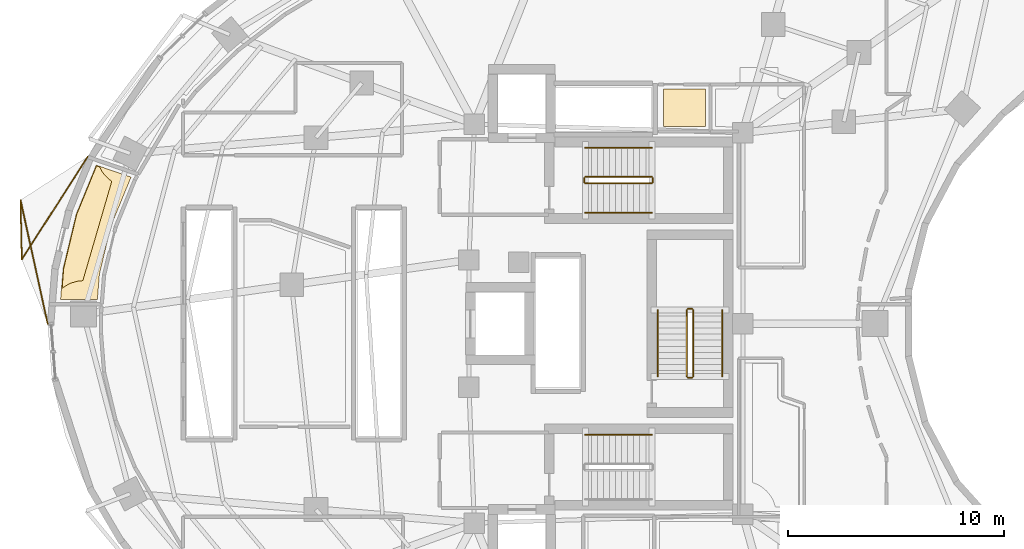
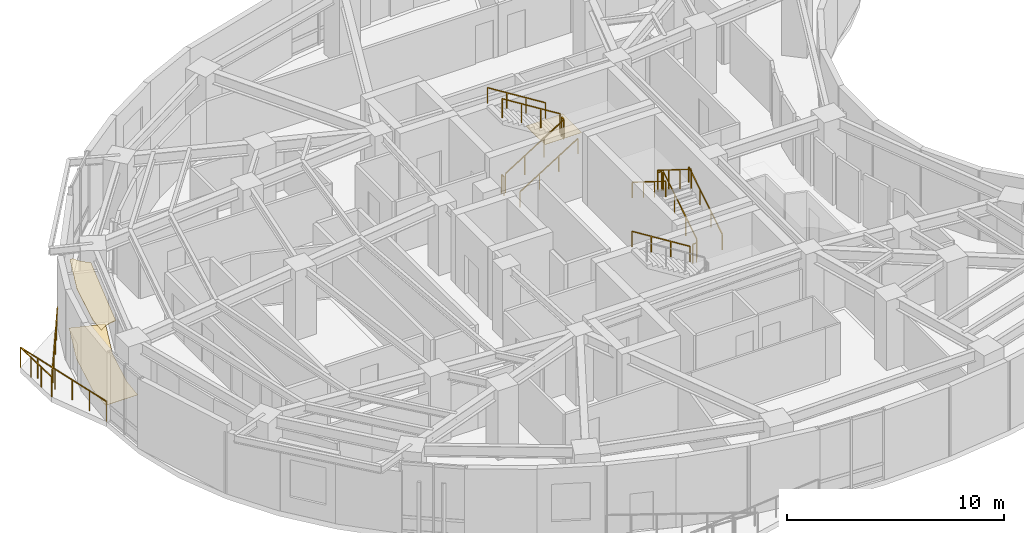
# One storey, part 14 of 15: 14 railings, 3 coverings.
"""IFC4 building model written with IfcOpenShell, lengths in metres."""

from ifc_helpers import new_model, si_unit, direction, frame, origin, origin_2d, place, context, subcontext, project, spatial, polyline, rectangle, outline, extrude, material, layer, layer_set, type_object, element, save


model = new_model("IFC4")

# Units and contexts
model_context = context("Model", 3, precision=1e-05, world=origin(), true_north=direction((0.0, 1.0)))
body_context = subcontext(model_context, "Body", "Model", "MODEL_VIEW")
ifc_project = project(units=[si_unit("LENGTHUNIT", "METRE"), si_unit("AREAUNIT", "SQUARE_METRE"), si_unit("VOLUMEUNIT", "CUBIC_METRE"), si_unit("PLANEANGLEUNIT", "RADIAN"), si_unit("MASSUNIT", "GRAM", prefix="KILO")], contexts=[model_context])

# Site, building, storey
site_placement = place(None, origin())
site = spatial("IfcSite", under=ifc_project, at=site_placement, CompositionType="ELEMENT")
building_placement = place(site_placement, origin())
building = spatial("IfcBuilding", under=site, at=building_placement, Name="Korentha Bioscience Tower", CompositionType="ELEMENT")
storey_placement = place(building_placement, frame((0.0, 0.0, 127.800048828125)))
storey = spatial("IfcBuildingStorey", under=building, at=storey_placement, Name="L29", CompositionType="ELEMENT", Elevation=127.800048828125)

# Covering
ifc_material_1 = material(Name="Vitrified Porcelain Tile", Category="ceramic")
ifc_layer_1 = layer(ifc_material_1, 0.014892578125, Name="Vitrified Porcelain Tile")
ifc_layer_set_1 = layer_set([ifc_layer_1], Name="Vitrified Porcelain Tile (FL-CER)")
covering_type_1 = type_object("IfcCoveringType", Name="Anti-Slip Ceramic Wet-Room Tile Flooring 15", PredefinedType="FLOORING", material=ifc_layer_set_1)
covering_1_placement = place(storey_placement, origin())
element("IfcCovering", 1, at=covering_1_placement, inside=storey, type_object=covering_type_1, Name="L29 Accessible Staff WC Floor Finish", PredefinedType="FLOORING", context=body_context, shape_type="SweptSolid", body=[
    extrude(outline(polyline([(33.8701171875, 36.1298828125), (33.8701171875, 37.8701171875), (35.830078125, 37.8701171875), (35.830078125, 36.1298828125), (33.8701171875, 36.1298828125)])), origin(), (0.0, 0.0, 1.0), 0.014892578125),
])

# Railings
ifc_material_2 = material(Name="Stainless Steel 304", Category="steel")
railing_type_1 = type_object("IfcRailingType", Name="Brushed Stainless Stair Handrail 900", PredefinedType="HANDRAIL", material=ifc_material_2)
railing_1_placement = place(storey_placement, frame((30.25, 32.14990234375, 0.175048828125)))
element("IfcRailing", 2, at=railing_1_placement, inside=storey, type_object=railing_type_1, Name="L29 ST-1 stair handrail 1", PredefinedType="HANDRAIL", context=body_context, shape_type="SweptSolid", body=[
    extrude(rectangle(XDim=0.048095703125, YDim=0.048095703125, at=origin_2d()), frame((0.0, 0.0, 0.8759765625), z_axis=(0.848028513186, 0.0, 0.529950602248), x_axis=(0.0, 1.0, 0.0)), (0.0, 0.0, 1.0), 3.632080078125),
    extrude(rectangle(XDim=0.0419921875, YDim=0.0419921875, at=origin_2d()), origin(), (0.0, 0.0, 1.0), 0.851806640625),
    extrude(rectangle(XDim=0.0419921875, YDim=0.0419921875, at=origin_2d()), frame((1.026611328125, 0.0, 0.6416015625)), (0.0, 0.0, 1.0), 0.851806640625),
    extrude(rectangle(XDim=0.0419921875, YDim=0.0419921875, at=origin_2d()), frame((2.053466796875, 0.0, 1.283203125)), (0.0, 0.0, 1.0), 0.851806640625),
    extrude(rectangle(XDim=0.0419921875, YDim=0.0419921875, at=origin_2d()), frame((3.080078125, 0.0, 1.9248046875)), (0.0, 0.0, 1.0), 0.851806640625),
])
for number, where, name in (
    (3, (33.330078125, 35.14990234375, 2.27490234375), "L29 ST-1 stair handrail 2"),
    (4, (33.330078125, 21.85009765625, 2.27490234375), "L29 ST-2 stair handrail 2"),
):
    element("IfcRailing", number, at=place(storey_placement, frame(where)), inside=storey, type_object=railing_type_1, Name=name, PredefinedType="HANDRAIL", context=body_context, shape_type="SweptSolid", body=[
        extrude(rectangle(XDim=0.048095703125, YDim=0.048095703125, at=origin_2d()), frame((0.0, 0.0, 0.8759765625), z_axis=(-0.847998304005, 0.0, 0.529998940003), x_axis=(0.0, -1.0, 0.0)), (0.0, 0.0, 1.0), 3.632080078125),
        extrude(rectangle(XDim=0.0419921875, YDim=0.0419921875, at=origin_2d()), origin(), (0.0, 0.0, 1.0), 0.851806640625),
        extrude(rectangle(XDim=0.0419921875, YDim=0.0419921875, at=origin_2d()), frame((-1.026611328125, 0.0, 0.6416015625)), (0.0, 0.0, 1.0), 0.851806640625),
        extrude(rectangle(XDim=0.0419921875, YDim=0.0419921875, at=origin_2d()), frame((-2.053466796875, 0.0, 1.283447265625)), (0.0, 0.0, 1.0), 0.851806640625),
        extrude(rectangle(XDim=0.0419921875, YDim=0.0419921875, at=origin_2d()), frame((-3.080078125, 0.0, 1.925048828125)), (0.0, 0.0, 1.0), 0.851806640625),
    ])
railing_2_placement = place(storey_placement, frame((36.60009765625, 24.550048828125, 0.175048828125)))
element("IfcRailing", 5, at=railing_2_placement, inside=storey, type_object=railing_type_1, Name="L29 ST-3 stair handrail 1", PredefinedType="HANDRAIL", context=body_context, shape_type="SweptSolid", body=[
    extrude(rectangle(XDim=0.048095703125, YDim=0.048095703125, at=origin_2d()), frame((0.0, 0.0, 0.8759765625), z_axis=(0.0, 0.848009633417, 0.529980812513), x_axis=(-1.0, 0.0, 0.0)), (0.0, 0.0, 1.0), 3.6318359375),
    extrude(rectangle(XDim=0.0419921875, YDim=0.0419921875, at=origin_2d()), origin(), (0.0, 0.0, 1.0), 0.851806640625),
    extrude(rectangle(XDim=0.0419921875, YDim=0.0419921875, at=origin_2d()), frame((0.0, 1.026611328125, 0.6416015625)), (0.0, 0.0, 1.0), 0.851806640625),
    extrude(rectangle(XDim=0.0419921875, YDim=0.0419921875, at=origin_2d()), frame((0.0, 2.05322265625, 1.283203125)), (0.0, 0.0, 1.0), 0.851806640625),
    extrude(rectangle(XDim=0.0419921875, YDim=0.0419921875, at=origin_2d()), frame((0.0, 3.079833984375, 1.9248046875)), (0.0, 0.0, 1.0), 0.851806640625),
])
railing_3_placement = place(storey_placement, frame((33.60009765625, 27.6298828125, 2.27490234375)))
element("IfcRailing", 6, at=railing_3_placement, inside=storey, type_object=railing_type_1, Name="L29 ST-3 stair handrail 2", PredefinedType="HANDRAIL", context=body_context, shape_type="SweptSolid", body=[
    extrude(rectangle(XDim=0.048095703125, YDim=0.048095703125, at=origin_2d()), frame((0.0, 0.0, 0.8759765625), z_axis=(0.0, -0.847979421464, 0.530029150871), x_axis=(1.0, 0.0, 0.0)), (0.0, 0.0, 1.0), 3.632080078125),
    extrude(rectangle(XDim=0.0419921875, YDim=0.0419921875, at=origin_2d()), origin(), (0.0, 0.0, 1.0), 0.851806640625),
    extrude(rectangle(XDim=0.0419921875, YDim=0.0419921875, at=origin_2d()), frame((0.0, -1.026611328125, 0.6416015625)), (0.0, 0.0, 1.0), 0.851806640625),
    extrude(rectangle(XDim=0.0419921875, YDim=0.0419921875, at=origin_2d()), frame((0.0, -2.05322265625, 1.283447265625)), (0.0, 0.0, 1.0), 0.851806640625),
    extrude(rectangle(XDim=0.0419921875, YDim=0.0419921875, at=origin_2d()), frame((0.0, -3.079833984375, 1.925048828125)), (0.0, 0.0, 1.0), 0.851806640625),
])
ifc_material_3 = material(Name="Laminated Tempered Safety Glass", Category="glass")
railing_type_2 = type_object("IfcRailingType", Name="Laminated Glass Balcony Guardrail 1150", PredefinedType="BALUSTRADE", material=ifc_material_3)
railing_4_placement = place(storey_placement, frame((7.17626953125, 34.74609375, 0.0)))
element("IfcRailing", 7, at=railing_4_placement, inside=storey, type_object=railing_type_2, Name="L29 Balcony Guardrail 02", PredefinedType="BALUSTRADE", context=body_context, shape_type="SweptSolid", body=[
    extrude(rectangle(XDim=0.048095703125, YDim=0.048095703125, at=origin_2d()), frame((0.0, 0.0, 1.1259765625), z_axis=(-0.539985183443, -0.841674522403, 0.0), x_axis=(0.841674522403, -0.539985183443, 0.0)), (0.0, 0.0, 1.0), 5.6728515625),
    extrude(rectangle(XDim=0.048095703125, YDim=0.048095703125, at=origin_2d()), frame((-3.063232421875, -4.774658203125, 1.1259765625), z_axis=(-0.020618734894, 0.999787411289, 0.0), x_axis=(-0.999787411289, -0.020618734894, 0.0)), (0.0, 0.0, 1.0), 2.7587890625),
    extrude(rectangle(XDim=0.048095703125, YDim=0.048095703125, at=origin_2d()), frame((-3.1201171875, -2.016357421875, 1.1259765625), z_axis=(0.214417947437, -0.976742004737, 0.0), x_axis=(0.976742004737, 0.214417947437, 0.0)), (0.0, 0.0, 1.0), 5.8662109375),
    extrude(rectangle(XDim=0.0419921875, YDim=0.0419921875, at=origin_2d()), origin(), (0.0, 0.0, 1.0), 1.101806640625),
    extrude(rectangle(XDim=0.0419921875, YDim=0.0419921875, at=origin_2d()), frame((-0.612548828125, -0.954833984375, 0.0)), (0.0, 0.0, 1.0), 1.101806640625),
    extrude(rectangle(XDim=0.0419921875, YDim=0.0419921875, at=origin_2d()), frame((-1.225341796875, -1.909912109375, 0.0)), (0.0, 0.0, 1.0), 1.101806640625),
    extrude(rectangle(XDim=0.0419921875, YDim=0.0419921875, at=origin_2d()), frame((-1.837890625, -2.86474609375, 0.0)), (0.0, 0.0, 1.0), 1.101806640625),
    extrude(rectangle(XDim=0.0419921875, YDim=0.0419921875, at=origin_2d()), frame((-2.45068359375, -3.81982421875, 0.0)), (0.0, 0.0, 1.0), 1.101806640625),
    extrude(rectangle(XDim=0.0419921875, YDim=0.0419921875, at=origin_2d()), frame((-3.063232421875, -4.774658203125, 0.0)), (0.0, 0.0, 1.0), 1.101806640625),
    extrude(rectangle(XDim=0.0419921875, YDim=0.0419921875, at=origin_2d()), frame((-3.082275390625, -3.855224609375, 0.0)), (0.0, 0.0, 1.0), 1.101806640625),
    extrude(rectangle(XDim=0.0419921875, YDim=0.0419921875, at=origin_2d()), frame((-3.10107421875, -2.935791015625, 0.0)), (0.0, 0.0, 1.0), 1.101806640625),
    extrude(rectangle(XDim=0.0419921875, YDim=0.0419921875, at=origin_2d()), frame((-3.1201171875, -2.016357421875, 0.0)), (0.0, 0.0, 1.0), 1.101806640625),
    extrude(rectangle(XDim=0.0419921875, YDim=0.0419921875, at=origin_2d()), frame((-2.86865234375, -3.162353515625, 0.0)), (0.0, 0.0, 1.0), 1.101806640625),
    extrude(rectangle(XDim=0.0419921875, YDim=0.0419921875, at=origin_2d()), frame((-2.616943359375, -4.308349609375, 0.0)), (0.0, 0.0, 1.0), 1.101806640625),
    extrude(rectangle(XDim=0.0419921875, YDim=0.0419921875, at=origin_2d()), frame((-2.365478515625, -5.4541015625, 0.0)), (0.0, 0.0, 1.0), 1.101806640625),
    extrude(rectangle(XDim=0.0419921875, YDim=0.0419921875, at=origin_2d()), frame((-2.11376953125, -6.60009765625, 0.0)), (0.0, 0.0, 1.0), 1.101806640625),
    extrude(rectangle(XDim=0.0419921875, YDim=0.0419921875, at=origin_2d()), frame((-1.8623046875, -7.74609375, 0.0)), (0.0, 0.0, 1.0), 1.101806640625),
])

# Covering
ifc_material_4 = material(Name="Antimicrobial Mineral Fibre Board", Category="gypsum")
ifc_layer_2 = layer(ifc_material_4, 0.034912109375, Name="Antimicrobial Mineral Fibre Board")
ifc_layer_set_2 = layer_set([ifc_layer_2], Name="Antimicrobial Mineral Fibre Board (CL-MF35)")
covering_type_2 = type_object("IfcCoveringType", Name="Mineral-Fibre Cleanroom Suspended Ceiling 35", PredefinedType="CEILING", material=ifc_layer_set_2)
covering_2_placement = place(storey_placement, frame((0.0, 0.0, 3.864990234375)))
element("IfcCovering", 8, at=covering_2_placement, inside=storey, type_object=covering_type_2, Name="L29 Robotic Liquid-Handling Suite 11 Acoustic Ceiling", PredefinedType="CEILING", context=body_context, shape_type="SweptSolid", body=[
    extrude(outline(polyline([(6.947021484375, 28.9912109375), (6.671875, 28.962646484375), (6.381103515625, 28.87451171875), (6.113037109375, 28.731201171875), (5.985595703125, 28.6357421875), (6.057861328125, 29.547607421875), (6.662109375, 32.060791015625), (7.581787109375, 34.311279296875), (7.726318359375, 34.261474609375), (7.85302734375, 34.0283203125), (7.943603515625, 33.906005859375), (8.158447265625, 33.691162109375), (8.287353515625, 33.5966796875), (6.947021484375, 28.9912109375)])), origin(), (0.0, 0.0, 1.0), 0.034912109375),
])

# Railings
ifc_material_5 = material(Name="Painted Steel S275", Category="steel")
railing_type_3 = type_object("IfcRailingType", Name="Painted Steel Stair Well Guardrail 1100", PredefinedType="GUARDRAIL", material=ifc_material_5)
railing_5_placement = place(storey_placement, frame((30.25, 33.5, 0.175048828125)))
element("IfcRailing", 9, at=railing_5_placement, inside=storey, type_object=railing_type_3, Name="L29 ST-1 stair guard 1", PredefinedType="GUARDRAIL", context=body_context, shape_type="SweptSolid", body=[
    extrude(rectangle(XDim=0.048095703125, YDim=0.048095703125, at=origin_2d()), frame((0.0, 0.0, 1.076171875), z_axis=(0.848028513186, 0.0, 0.529950602248), x_axis=(0.0, 1.0, 0.0)), (0.0, 0.0, 1.0), 3.632080078125),
    extrude(rectangle(XDim=0.0419921875, YDim=0.0419921875, at=origin_2d()), origin(), (0.0, 0.0, 1.0), 1.052001953125),
    extrude(rectangle(XDim=0.0419921875, YDim=0.0419921875, at=origin_2d()), frame((1.026611328125, 0.0, 0.6416015625)), (0.0, 0.0, 1.0), 1.052001953125),
    extrude(rectangle(XDim=0.0419921875, YDim=0.0419921875, at=origin_2d()), frame((2.053466796875, 0.0, 1.283203125)), (0.0, 0.0, 1.0), 1.052001953125),
    extrude(rectangle(XDim=0.0419921875, YDim=0.0419921875, at=origin_2d()), frame((3.080078125, 0.0, 1.9248046875)), (0.0, 0.0, 1.0), 1.052001953125),
])
railing_6_placement = place(storey_placement, frame((33.3798828125, 33.550048828125, 2.099853515625)))
element("IfcRailing", 10, at=railing_6_placement, inside=storey, type_object=railing_type_3, Name="L29 ST-1 stair guard 2", PredefinedType="GUARDRAIL", context=body_context, shape_type="SweptSolid", body=[
    extrude(rectangle(XDim=0.048095703125, YDim=0.048095703125, at=origin_2d()), frame((0.0, 0.0, 1.076171875), z_axis=(0.0, 1.0, 0.0), x_axis=(-1.0, 0.0, 0.0)), (0.0, 0.0, 1.0), 0.199951171875),
    extrude(rectangle(XDim=0.0419921875, YDim=0.0419921875, at=origin_2d()), origin(), (0.0, 0.0, 1.0), 1.052001953125),
    extrude(rectangle(XDim=0.0419921875, YDim=0.0419921875, at=origin_2d()), frame((0.0, 0.199951171875, 0.0)), (0.0, 0.0, 1.0), 1.052001953125),
])
railing_7_placement = place(storey_placement, frame((33.330078125, 33.800048828125, 2.27490234375)))
element("IfcRailing", 11, at=railing_7_placement, inside=storey, type_object=railing_type_3, Name="L29 ST-1 stair guard 3", PredefinedType="GUARDRAIL", context=body_context, shape_type="SweptSolid", body=[
    extrude(rectangle(XDim=0.048095703125, YDim=0.048095703125, at=origin_2d()), frame((0.0, 0.0, 1.076171875), z_axis=(-0.847998304005, 0.0, 0.529998940003), x_axis=(0.0, -1.0, 0.0)), (0.0, 0.0, 1.0), 3.632080078125),
    extrude(rectangle(XDim=0.0419921875, YDim=0.0419921875, at=origin_2d()), origin(), (0.0, 0.0, 1.0), 1.052001953125),
    extrude(rectangle(XDim=0.0419921875, YDim=0.0419921875, at=origin_2d()), frame((-1.026611328125, 0.0, 0.6416015625)), (0.0, 0.0, 1.0), 1.052001953125),
    extrude(rectangle(XDim=0.0419921875, YDim=0.0419921875, at=origin_2d()), frame((-2.053466796875, 0.0, 1.283447265625)), (0.0, 0.0, 1.0), 1.052001953125),
    extrude(rectangle(XDim=0.0419921875, YDim=0.0419921875, at=origin_2d()), frame((-3.080078125, 0.0, 1.925048828125)), (0.0, 0.0, 1.0), 1.052001953125),
])
railing_8_placement = place(storey_placement, frame((30.199951171875, 33.550048828125, 0.0)))
element("IfcRailing", 12, at=railing_8_placement, inside=storey, type_object=railing_type_3, Name="L29 ST-1 stair guard 4", PredefinedType="GUARDRAIL", context=body_context, shape_type="SweptSolid", body=[
    extrude(rectangle(XDim=0.048095703125, YDim=0.048095703125, at=origin_2d()), frame((0.0, 0.0, 1.076171875), z_axis=(0.0, 1.0, 0.0), x_axis=(-1.0, 0.0, 0.0)), (0.0, 0.0, 1.0), 0.199951171875),
    extrude(rectangle(XDim=0.0419921875, YDim=0.0419921875, at=origin_2d()), origin(), (0.0, 0.0, 1.0), 1.052001953125),
    extrude(rectangle(XDim=0.0419921875, YDim=0.0419921875, at=origin_2d()), frame((0.0, 0.199951171875, 0.0)), (0.0, 0.0, 1.0), 1.052001953125),
])
railing_9_placement = place(storey_placement, frame((35.25, 24.550048828125, 0.175048828125)))
element("IfcRailing", 13, at=railing_9_placement, inside=storey, type_object=railing_type_3, Name="L29 ST-3 stair guard 1", PredefinedType="GUARDRAIL", context=body_context, shape_type="SweptSolid", body=[
    extrude(rectangle(XDim=0.048095703125, YDim=0.048095703125, at=origin_2d()), frame((0.0, 0.0, 1.076171875), z_axis=(0.0, 0.848009633417, 0.529980812513), x_axis=(-1.0, 0.0, 0.0)), (0.0, 0.0, 1.0), 3.6318359375),
    extrude(rectangle(XDim=0.0419921875, YDim=0.0419921875, at=origin_2d()), origin(), (0.0, 0.0, 1.0), 1.052001953125),
    extrude(rectangle(XDim=0.0419921875, YDim=0.0419921875, at=origin_2d()), frame((0.0, 1.026611328125, 0.6416015625)), (0.0, 0.0, 1.0), 1.052001953125),
    extrude(rectangle(XDim=0.0419921875, YDim=0.0419921875, at=origin_2d()), frame((0.0, 2.05322265625, 1.283203125)), (0.0, 0.0, 1.0), 1.052001953125),
    extrude(rectangle(XDim=0.0419921875, YDim=0.0419921875, at=origin_2d()), frame((0.0, 3.079833984375, 1.9248046875)), (0.0, 0.0, 1.0), 1.052001953125),
])
railing_10_placement = place(storey_placement, frame((35.199951171875, 27.679931640625, 2.099853515625)))
element("IfcRailing", 14, at=railing_10_placement, inside=storey, type_object=railing_type_3, Name="L29 ST-3 stair guard 2", PredefinedType="GUARDRAIL", context=body_context, shape_type="SweptSolid", body=[
    extrude(rectangle(XDim=0.048095703125, YDim=0.048095703125, at=origin_2d()), frame((0.0, 0.0, 1.076171875), z_axis=(-1.0, 0.0, 0.0), x_axis=(0.0, -1.0, 0.0)), (0.0, 0.0, 1.0), 0.199951171875),
    extrude(rectangle(XDim=0.0419921875, YDim=0.0419921875, at=origin_2d()), origin(), (0.0, 0.0, 1.0), 1.052001953125),
    extrude(rectangle(XDim=0.0419921875, YDim=0.0419921875, at=origin_2d()), frame((-0.199951171875, 0.0, 0.0)), (0.0, 0.0, 1.0), 1.052001953125),
])
railing_11_placement = place(storey_placement, frame((34.949951171875, 27.6298828125, 2.27490234375)))
element("IfcRailing", 15, at=railing_11_placement, inside=storey, type_object=railing_type_3, Name="L29 ST-3 stair guard 3", PredefinedType="GUARDRAIL", context=body_context, shape_type="SweptSolid", body=[
    extrude(rectangle(XDim=0.048095703125, YDim=0.048095703125, at=origin_2d()), frame((0.0, 0.0, 1.076171875), z_axis=(0.0, -0.847979421464, 0.530029150871), x_axis=(1.0, 0.0, 0.0)), (0.0, 0.0, 1.0), 3.632080078125),
    extrude(rectangle(XDim=0.0419921875, YDim=0.0419921875, at=origin_2d()), origin(), (0.0, 0.0, 1.0), 1.052001953125),
    extrude(rectangle(XDim=0.0419921875, YDim=0.0419921875, at=origin_2d()), frame((0.0, -1.026611328125, 0.6416015625)), (0.0, 0.0, 1.0), 1.052001953125),
    extrude(rectangle(XDim=0.0419921875, YDim=0.0419921875, at=origin_2d()), frame((0.0, -2.05322265625, 1.283447265625)), (0.0, 0.0, 1.0), 1.052001953125),
    extrude(rectangle(XDim=0.0419921875, YDim=0.0419921875, at=origin_2d()), frame((0.0, -3.079833984375, 1.925048828125)), (0.0, 0.0, 1.0), 1.052001953125),
])
railing_12_placement = place(storey_placement, frame((35.199951171875, 24.5, 0.0)))
element("IfcRailing", 16, at=railing_12_placement, inside=storey, type_object=railing_type_3, Name="L29 ST-3 stair guard 4", PredefinedType="GUARDRAIL", context=body_context, shape_type="SweptSolid", body=[
    extrude(rectangle(XDim=0.048095703125, YDim=0.048095703125, at=origin_2d()), frame((0.0, 0.0, 1.076171875), z_axis=(-1.0, 0.0, 0.0), x_axis=(0.0, -1.0, 0.0)), (0.0, 0.0, 1.0), 0.199951171875),
    extrude(rectangle(XDim=0.0419921875, YDim=0.0419921875, at=origin_2d()), origin(), (0.0, 0.0, 1.0), 1.052001953125),
    extrude(rectangle(XDim=0.0419921875, YDim=0.0419921875, at=origin_2d()), frame((-0.199951171875, 0.0, 0.0)), (0.0, 0.0, 1.0), 1.052001953125),
])

# Covering
ifc_material_6 = material(Name="Chemical-Resistant Epoxy Resin", Category="polymer")
ifc_layer_3 = layer(ifc_material_6, 0.011962890625, Name="Chemical-Resistant Epoxy Resin")
ifc_layer_set_3 = layer_set([ifc_layer_3], Name="Chemical-Resistant Epoxy Resin (FL-EPX)")
covering_type_3 = type_object("IfcCoveringType", Name="Seamless Epoxy Laboratory Flooring 12", PredefinedType="FLOORING", material=ifc_layer_set_3)
covering_3_placement = place(storey_placement, origin())
element("IfcCovering", 17, at=covering_3_placement, inside=storey, type_object=covering_type_3, Name="L29 Robotic Liquid-Handling Suite 11 Floor Finish", PredefinedType="FLOORING", context=body_context, shape_type="SweptSolid", body=[
    extrude(outline(polyline([(7.564697265625, 34.348876953125), (9.1796875, 33.792724609375), (8.25390625, 31.537841796875), (7.714599609375, 29.293212890625), (7.62060546875, 28.1279296875), (5.9150390625, 28.1279296875), (6.028076171875, 29.55224609375), (6.63330078125, 32.070068359375), (7.564697265625, 34.348876953125)])), origin(), (0.0, 0.0, 1.0), 0.011962890625),
])

save(model, "model.ifc")
